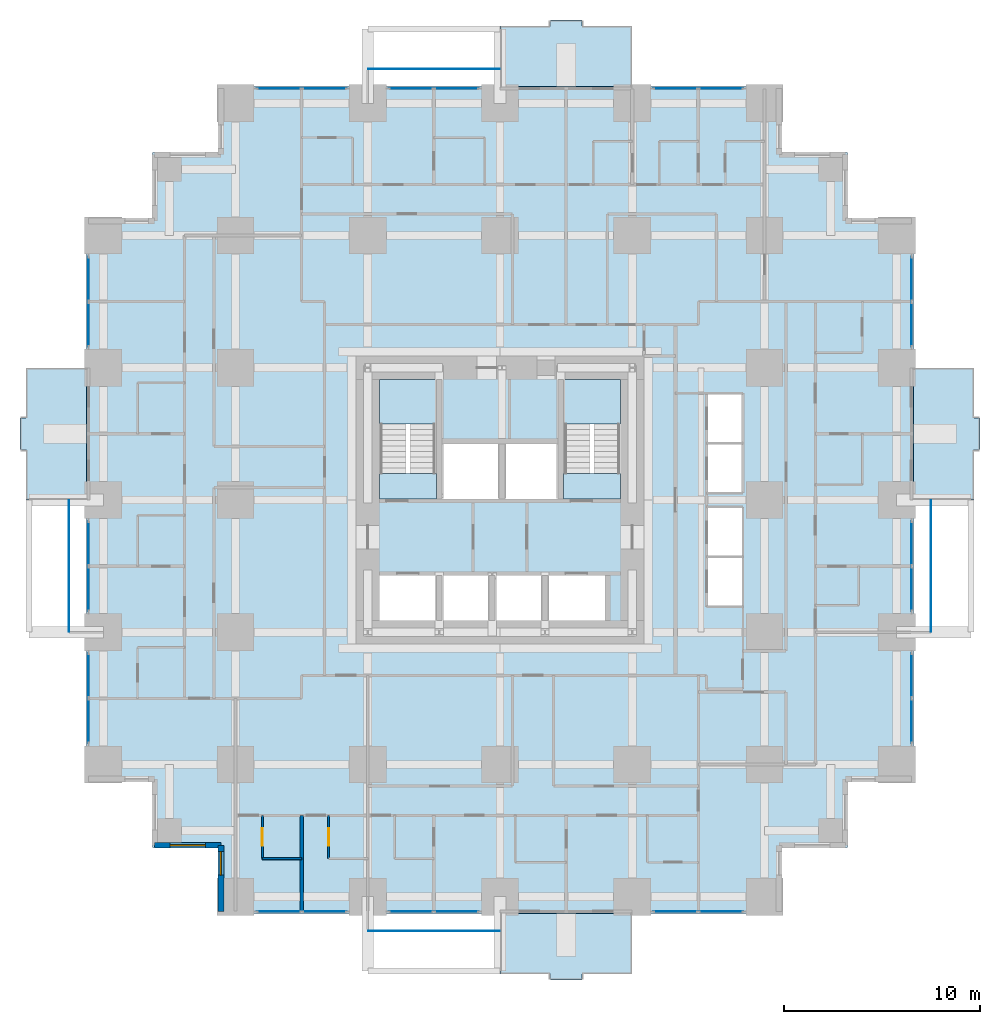
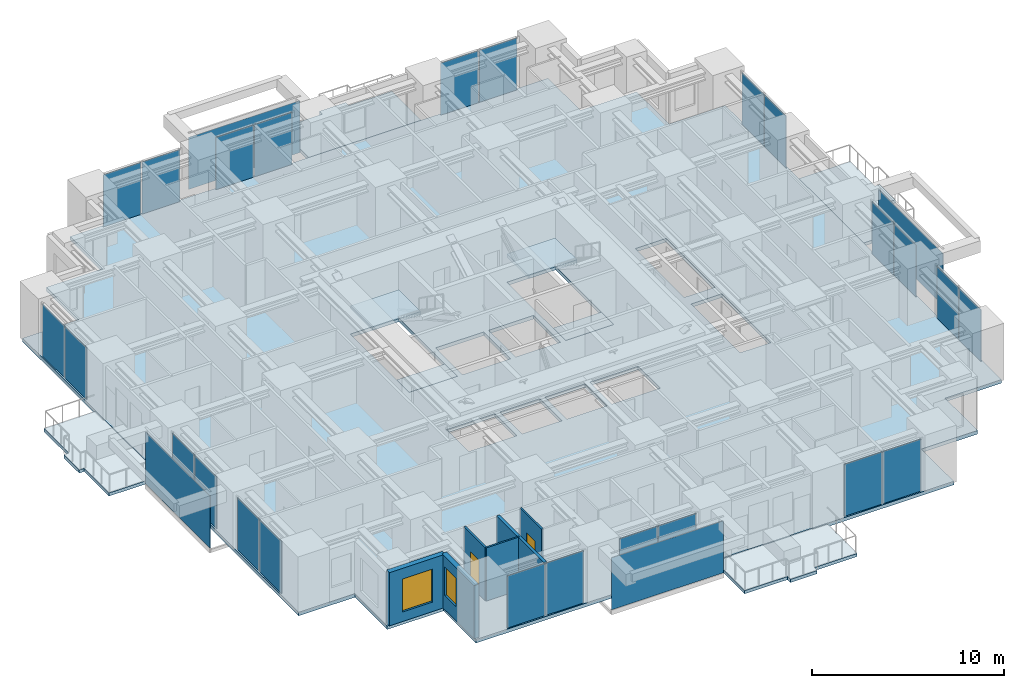
# One storey, part 7 of 14: 28 plates, 9 slabs, 6 walls, 2 doors, 2 windows, 4 openings, 14 elements without a shape of their own.
"""IFC4 building model written with IfcOpenShell, lengths in metres."""

from ifc_helpers import new_model, si_unit, direction, frame, frame_2d, origin, origin_2d, place, context, subcontext, project, spatial, polyline, rectangle, outline, extrude, material, layer, layer_set, type_object, element, fill, aggregate, save


model = new_model("IFC4")

# Units and contexts
model_context = context("Model", 3, precision=1e-05, world=origin(), true_north=direction((0.0, 1.0)))
body_context = subcontext(model_context, "Body", "Model", "MODEL_VIEW")
ifc_project = project(units=[si_unit("LENGTHUNIT", "METRE"), si_unit("AREAUNIT", "SQUARE_METRE"), si_unit("VOLUMEUNIT", "CUBIC_METRE"), si_unit("PLANEANGLEUNIT", "RADIAN"), si_unit("MASSUNIT", "GRAM", prefix="KILO")], contexts=[model_context])

# Site, building, storey
site_placement = place(None, origin())
site = spatial("IfcSite", under=ifc_project, at=site_placement, CompositionType="ELEMENT")
building_placement = place(site_placement, origin())
building = spatial("IfcBuilding", under=site, at=building_placement, Name="Nyansa Garden Tower", CompositionType="ELEMENT")
storey_placement = place(building_placement, frame((0.0, 0.0, 28.800048828125)))
storey = spatial("IfcBuildingStorey", under=building, at=storey_placement, Name="L07", CompositionType="ELEMENT", Elevation=28.800048828125)

# Slabs
ifc_material_1 = material(Name="Concrete C40/50", Category="concrete")
ifc_layer_1 = layer(ifc_material_1, 0.199951171875)
ifc_layer_set_1 = layer_set([ifc_layer_1], Name="Balcony slab BS200")
slab_type_1 = type_object("IfcSlabType", Name="Balcony slab BS200", PredefinedType="FLOOR", material=ifc_layer_set_1)
slab_1_placement = place(storey_placement, frame((0.0, 0.0, -0.239990234375)))
element("IfcSlab", 1, at=slab_1_placement, inside=storey, type_object=slab_type_1, Name="Balcony L07 S", PredefinedType="FLOOR", context=body_context, shape_type="SweptSolid", body=[
    extrude(outline(polyline([(20.25, -0.85009765625), (27.0, -0.85009765625), (27.0, -3.949951171875), (24.425048828125, -3.949951171875), (24.425048828125, -4.25), (22.824951171875, -4.25), (22.824951171875, -3.949951171875), (20.25, -3.949951171875), (20.25, -0.85009765625)])), origin(), (0.0, 0.0, 1.0), 0.199951171875),
])
slab_2_placement = place(storey_placement, frame((0.0, 0.0, -0.239990234375)))
element("IfcSlab", 2, at=slab_2_placement, inside=storey, type_object=slab_type_1, Name="Balcony L07 E", PredefinedType="FLOOR", context=body_context, shape_type="SweptSolid", body=[
    extrude(outline(polyline([(41.35009765625, 20.25), (41.35009765625, 27.0), (44.449951171875, 27.0), (44.449951171875, 24.425048828125), (44.75, 24.425048828125), (44.75, 22.824951171875), (44.449951171875, 22.824951171875), (44.449951171875, 20.25), (41.35009765625, 20.25)])), origin(), (0.0, 0.0, 1.0), 0.199951171875),
])
slab_3_placement = place(storey_placement, frame((0.0, 0.0, -0.239990234375)))
element("IfcSlab", 3, at=slab_3_placement, inside=storey, type_object=slab_type_1, Name="Balcony L07 N", PredefinedType="FLOOR", context=body_context, shape_type="SweptSolid", body=[
    extrude(outline(polyline([(20.25, 41.35009765625), (27.0, 41.35009765625), (27.0, 44.449951171875), (24.425048828125, 44.449951171875), (24.425048828125, 44.75), (22.824951171875, 44.75), (22.824951171875, 44.449951171875), (20.25, 44.449951171875), (20.25, 41.35009765625)])), origin(), (0.0, 0.0, 1.0), 0.199951171875),
])
slab_4_placement = place(storey_placement, frame((0.0, 0.0, -0.239990234375)))
element("IfcSlab", 4, at=slab_4_placement, inside=storey, type_object=slab_type_1, Name="Balcony L07 W", PredefinedType="FLOOR", context=body_context, shape_type="SweptSolid", body=[
    extrude(outline(polyline([(-0.85009765625, 20.25), (-0.85009765625, 27.0), (-3.949951171875, 27.0), (-3.949951171875, 24.425048828125), (-4.25, 24.425048828125), (-4.25, 22.824951171875), (-3.949951171875, 22.824951171875), (-3.949951171875, 20.25), (-0.85009765625, 20.25)])), origin(), (0.0, 0.0, 1.0), 0.199951171875),
])

# Curtain wall, plates
ifc_material_2 = material(Name="Black anodised aluminium, dark tinted double glazing", Category="aluminium")
curtain_wall_type = type_object("IfcCurtainWallType", Name="Inner skin curtain wall ISW-A", PredefinedType="USERDEFINED", material=ifc_material_2)
curtain_wall_1_placement = place(storey_placement, origin())
curtain_wall_1 = element("IfcCurtainWall", 5, at=curtain_wall_1_placement, inside=storey, type_object=curtain_wall_type, Name="Inner skin curtain wall L07 E", ObjectType="UNITISED CURTAIN WALL", PredefinedType="USERDEFINED")
ifc_material_3 = material(Name="Dark tinted laminated double glazing", Category="glass")
ifc_layer_2 = layer(ifc_material_3, 0.031982421875)
ifc_layer_set_2 = layer_set([ifc_layer_2], Name="Dark tinted vision panel VP-A")
plate_type_1 = type_object("IfcPlateType", Name="Dark tinted vision panel VP-A", PredefinedType="CURTAIN_PANEL", material=ifc_layer_set_2)
plate_1_placement = place(storey_placement, frame((41.25, 8.96240234375, 0.0), z_axis=(0.0, 0.0, 1.0), x_axis=(0.0, 1.0, 0.0)))
plate_1 = element("IfcPlate", 6, at=plate_1_placement, type_object=plate_type_1, Name="ISW-A panel 1", PredefinedType="CURTAIN_PANEL", context=body_context, shape_type="SweptSolid", body=[
    extrude(rectangle(XDim=2.260009765625, YDim=0.031982421875, at=origin_2d()), origin(), (0.0, 0.0, 1.0), 3.31005859375),
])
plate_2_placement = place(storey_placement, frame((41.25, 11.28759765625, 0.0), z_axis=(0.0, 0.0, 1.0), x_axis=(0.0, 1.0, 0.0)))
plate_2 = element("IfcPlate", 7, at=plate_2_placement, type_object=plate_type_1, Name="ISW-A panel 2", PredefinedType="CURTAIN_PANEL", context=body_context, shape_type="SweptSolid", body=[
    extrude(rectangle(XDim=2.260009765625, YDim=0.031982421875, at=origin_2d()), origin(), (0.0, 0.0, 1.0), 3.31005859375),
])
aggregate(curtain_wall_1, [plate_1, plate_2])

curtain_wall_2_placement = place(storey_placement, origin())
curtain_wall_2 = element("IfcCurtainWall", 8, at=curtain_wall_2_placement, inside=storey, type_object=curtain_wall_type, Name="Inner skin curtain wall L07 E", ObjectType="UNITISED CURTAIN WALL", PredefinedType="USERDEFINED")
plate_3_placement = place(storey_placement, frame((41.25, 15.71240234375, 0.0), z_axis=(0.0, 0.0, 1.0), x_axis=(0.0, 1.0, 0.0)))
plate_3 = element("IfcPlate", 9, at=plate_3_placement, type_object=plate_type_1, Name="ISW-A panel 1", PredefinedType="CURTAIN_PANEL", context=body_context, shape_type="SweptSolid", body=[
    extrude(rectangle(XDim=2.260009765625, YDim=0.031982421875, at=origin_2d()), origin(), (0.0, 0.0, 1.0), 3.31005859375),
])
plate_4_placement = place(storey_placement, frame((41.25, 18.03759765625, 0.0), z_axis=(0.0, 0.0, 1.0), x_axis=(0.0, 1.0, 0.0)))
plate_4 = element("IfcPlate", 10, at=plate_4_placement, type_object=plate_type_1, Name="ISW-A panel 2", PredefinedType="CURTAIN_PANEL", context=body_context, shape_type="SweptSolid", body=[
    extrude(rectangle(XDim=2.260009765625, YDim=0.031982421875, at=origin_2d()), origin(), (0.0, 0.0, 1.0), 3.31005859375),
])
aggregate(curtain_wall_2, [plate_3, plate_4])

curtain_wall_3_placement = place(storey_placement, origin())
curtain_wall_3 = element("IfcCurtainWall", 11, at=curtain_wall_3_placement, inside=storey, type_object=curtain_wall_type, Name="Inner skin curtain wall L07 E", ObjectType="UNITISED CURTAIN WALL", PredefinedType="USERDEFINED")
plate_5_placement = place(storey_placement, frame((41.25, 29.21240234375, 0.0), z_axis=(0.0, 0.0, 1.0), x_axis=(0.0, 1.0, 0.0)))
plate_5 = element("IfcPlate", 12, at=plate_5_placement, type_object=plate_type_1, Name="ISW-A panel 1", PredefinedType="CURTAIN_PANEL", context=body_context, shape_type="SweptSolid", body=[
    extrude(rectangle(XDim=2.260009765625, YDim=0.031982421875, at=origin_2d()), origin(), (0.0, 0.0, 1.0), 3.31005859375),
])
plate_6_placement = place(storey_placement, frame((41.25, 31.53759765625, 0.0), z_axis=(0.0, 0.0, 1.0), x_axis=(0.0, 1.0, 0.0)))
plate_6 = element("IfcPlate", 13, at=plate_6_placement, type_object=plate_type_1, Name="ISW-A panel 2", PredefinedType="CURTAIN_PANEL", context=body_context, shape_type="SweptSolid", body=[
    extrude(rectangle(XDim=2.260009765625, YDim=0.031982421875, at=origin_2d()), origin(), (0.0, 0.0, 1.0), 3.31005859375),
])
aggregate(curtain_wall_3, [plate_5, plate_6])

curtain_wall_4_placement = place(storey_placement, origin())
curtain_wall_4 = element("IfcCurtainWall", 14, at=curtain_wall_4_placement, inside=storey, type_object=curtain_wall_type, Name="Inner skin curtain wall L07 N", ObjectType="UNITISED CURTAIN WALL", PredefinedType="USERDEFINED")
plate_7_placement = place(storey_placement, frame((18.03759765625, 41.25, 0.0), z_axis=(0.0, 0.0, 1.0), x_axis=(-1.0, 0.0, 0.0)))
plate_7 = element("IfcPlate", 15, at=plate_7_placement, type_object=plate_type_1, Name="ISW-A panel 1", PredefinedType="CURTAIN_PANEL", context=body_context, shape_type="SweptSolid", body=[
    extrude(rectangle(XDim=2.260009765625, YDim=0.031982421875, at=origin_2d()), origin(), (0.0, 0.0, 1.0), 3.31005859375),
])
plate_8_placement = place(storey_placement, frame((15.71240234375, 41.25, 0.0), z_axis=(0.0, 0.0, 1.0), x_axis=(-1.0, 0.0, 0.0)))
plate_8 = element("IfcPlate", 16, at=plate_8_placement, type_object=plate_type_1, Name="ISW-A panel 2", PredefinedType="CURTAIN_PANEL", context=body_context, shape_type="SweptSolid", body=[
    extrude(rectangle(XDim=2.260009765625, YDim=0.031982421875, at=origin_2d()), origin(), (0.0, 0.0, 1.0), 3.31005859375),
])
aggregate(curtain_wall_4, [plate_7, plate_8])

curtain_wall_5_placement = place(storey_placement, origin())
curtain_wall_5 = element("IfcCurtainWall", 17, at=curtain_wall_5_placement, inside=storey, type_object=curtain_wall_type, Name="Inner skin curtain wall L07 N", ObjectType="UNITISED CURTAIN WALL", PredefinedType="USERDEFINED")
plate_9_placement = place(storey_placement, frame((11.28759765625, 41.25, 0.0), z_axis=(0.0, 0.0, 1.0), x_axis=(-1.0, 0.0, 0.0)))
plate_9 = element("IfcPlate", 18, at=plate_9_placement, type_object=plate_type_1, Name="ISW-A panel 1", PredefinedType="CURTAIN_PANEL", context=body_context, shape_type="SweptSolid", body=[
    extrude(rectangle(XDim=2.260009765625, YDim=0.031982421875, at=origin_2d()), origin(), (0.0, 0.0, 1.0), 3.31005859375),
])
plate_10_placement = place(storey_placement, frame((8.96240234375, 41.25, 0.0), z_axis=(0.0, 0.0, 1.0), x_axis=(-1.0, 0.0, 0.0)))
plate_10 = element("IfcPlate", 19, at=plate_10_placement, type_object=plate_type_1, Name="ISW-A panel 2", PredefinedType="CURTAIN_PANEL", context=body_context, shape_type="SweptSolid", body=[
    extrude(rectangle(XDim=2.260009765625, YDim=0.031982421875, at=origin_2d()), origin(), (0.0, 0.0, 1.0), 3.31005859375),
])
aggregate(curtain_wall_5, [plate_9, plate_10])

curtain_wall_6_placement = place(storey_placement, origin())
curtain_wall_6 = element("IfcCurtainWall", 20, at=curtain_wall_6_placement, inside=storey, type_object=curtain_wall_type, Name="Inner skin curtain wall L07 N", ObjectType="UNITISED CURTAIN WALL", PredefinedType="USERDEFINED")
plate_11_placement = place(storey_placement, frame((31.53759765625, 41.25, 0.0), z_axis=(0.0, 0.0, 1.0), x_axis=(-1.0, 0.0, 0.0)))
plate_11 = element("IfcPlate", 21, at=plate_11_placement, type_object=plate_type_1, Name="ISW-A panel 1", PredefinedType="CURTAIN_PANEL", context=body_context, shape_type="SweptSolid", body=[
    extrude(rectangle(XDim=2.260009765625, YDim=0.031982421875, at=origin_2d()), origin(), (0.0, 0.0, 1.0), 3.31005859375),
])
plate_12_placement = place(storey_placement, frame((29.21240234375, 41.25, 0.0), z_axis=(0.0, 0.0, 1.0), x_axis=(-1.0, 0.0, 0.0)))
plate_12 = element("IfcPlate", 22, at=plate_12_placement, type_object=plate_type_1, Name="ISW-A panel 2", PredefinedType="CURTAIN_PANEL", context=body_context, shape_type="SweptSolid", body=[
    extrude(rectangle(XDim=2.260009765625, YDim=0.031982421875, at=origin_2d()), origin(), (0.0, 0.0, 1.0), 3.31005859375),
])
aggregate(curtain_wall_6, [plate_11, plate_12])

curtain_wall_7_placement = place(storey_placement, origin())
curtain_wall_7 = element("IfcCurtainWall", 23, at=curtain_wall_7_placement, inside=storey, type_object=curtain_wall_type, Name="Inner skin curtain wall L07 W", ObjectType="UNITISED CURTAIN WALL", PredefinedType="USERDEFINED")
plate_13_placement = place(storey_placement, frame((-0.75, 18.03759765625, 0.0), z_axis=(0.0, 0.0, 1.0), x_axis=(0.0, -1.0, 0.0)))
plate_13 = element("IfcPlate", 24, at=plate_13_placement, type_object=plate_type_1, Name="ISW-A panel 1", PredefinedType="CURTAIN_PANEL", context=body_context, shape_type="SweptSolid", body=[
    extrude(rectangle(XDim=2.260009765625, YDim=0.031982421875, at=origin_2d()), origin(), (0.0, 0.0, 1.0), 3.31005859375),
])
plate_14_placement = place(storey_placement, frame((-0.75, 15.71240234375, 0.0), z_axis=(0.0, 0.0, 1.0), x_axis=(0.0, -1.0, 0.0)))
plate_14 = element("IfcPlate", 25, at=plate_14_placement, type_object=plate_type_1, Name="ISW-A panel 2", PredefinedType="CURTAIN_PANEL", context=body_context, shape_type="SweptSolid", body=[
    extrude(rectangle(XDim=2.260009765625, YDim=0.031982421875, at=origin_2d()), origin(), (0.0, 0.0, 1.0), 3.31005859375),
])
aggregate(curtain_wall_7, [plate_13, plate_14])

curtain_wall_8_placement = place(storey_placement, origin())
curtain_wall_8 = element("IfcCurtainWall", 26, at=curtain_wall_8_placement, inside=storey, type_object=curtain_wall_type, Name="Inner skin curtain wall L07 W", ObjectType="UNITISED CURTAIN WALL", PredefinedType="USERDEFINED")
plate_15_placement = place(storey_placement, frame((-0.75, 11.28759765625, 0.0), z_axis=(0.0, 0.0, 1.0), x_axis=(0.0, -1.0, 0.0)))
plate_15 = element("IfcPlate", 27, at=plate_15_placement, type_object=plate_type_1, Name="ISW-A panel 1", PredefinedType="CURTAIN_PANEL", context=body_context, shape_type="SweptSolid", body=[
    extrude(rectangle(XDim=2.260009765625, YDim=0.031982421875, at=origin_2d()), origin(), (0.0, 0.0, 1.0), 3.31005859375),
])
plate_16_placement = place(storey_placement, frame((-0.75, 8.96240234375, 0.0), z_axis=(0.0, 0.0, 1.0), x_axis=(0.0, -1.0, 0.0)))
plate_16 = element("IfcPlate", 28, at=plate_16_placement, type_object=plate_type_1, Name="ISW-A panel 2", PredefinedType="CURTAIN_PANEL", context=body_context, shape_type="SweptSolid", body=[
    extrude(rectangle(XDim=2.260009765625, YDim=0.031982421875, at=origin_2d()), origin(), (0.0, 0.0, 1.0), 3.31005859375),
])
aggregate(curtain_wall_8, [plate_15, plate_16])

curtain_wall_9_placement = place(storey_placement, origin())
curtain_wall_9 = element("IfcCurtainWall", 29, at=curtain_wall_9_placement, inside=storey, type_object=curtain_wall_type, Name="Inner skin curtain wall L07 W", ObjectType="UNITISED CURTAIN WALL", PredefinedType="USERDEFINED")
plate_17_placement = place(storey_placement, frame((-0.75, 31.53759765625, 0.0), z_axis=(0.0, 0.0, 1.0), x_axis=(0.0, -1.0, 0.0)))
plate_17 = element("IfcPlate", 30, at=plate_17_placement, type_object=plate_type_1, Name="ISW-A panel 1", PredefinedType="CURTAIN_PANEL", context=body_context, shape_type="SweptSolid", body=[
    extrude(rectangle(XDim=2.260009765625, YDim=0.031982421875, at=origin_2d()), origin(), (0.0, 0.0, 1.0), 3.31005859375),
])
plate_18_placement = place(storey_placement, frame((-0.75, 29.21240234375, 0.0), z_axis=(0.0, 0.0, 1.0), x_axis=(0.0, -1.0, 0.0)))
plate_18 = element("IfcPlate", 31, at=plate_18_placement, type_object=plate_type_1, Name="ISW-A panel 2", PredefinedType="CURTAIN_PANEL", context=body_context, shape_type="SweptSolid", body=[
    extrude(rectangle(XDim=2.260009765625, YDim=0.031982421875, at=origin_2d()), origin(), (0.0, 0.0, 1.0), 3.31005859375),
])
aggregate(curtain_wall_9, [plate_17, plate_18])

curtain_wall_10_placement = place(storey_placement, origin())
curtain_wall_10 = element("IfcCurtainWall", 32, at=curtain_wall_10_placement, inside=storey, type_object=curtain_wall_type, Name="Inner skin curtain wall L07 S", ObjectType="UNITISED CURTAIN WALL", PredefinedType="USERDEFINED")
plate_19_placement = place(storey_placement, frame((8.96240234375, -0.75, 0.0), z_axis=(0.0, 0.0, 1.0), x_axis=(1.0, 0.0, 0.0)))
plate_19 = element("IfcPlate", 33, at=plate_19_placement, type_object=plate_type_1, Name="ISW-A panel 1", PredefinedType="CURTAIN_PANEL", context=body_context, shape_type="SweptSolid", body=[
    extrude(rectangle(XDim=2.260009765625, YDim=0.031982421875, at=origin_2d()), origin(), (0.0, 0.0, 1.0), 3.31005859375),
])
plate_20_placement = place(storey_placement, frame((11.28759765625, -0.75, 0.0), z_axis=(0.0, 0.0, 1.0), x_axis=(1.0, 0.0, 0.0)))
plate_20 = element("IfcPlate", 34, at=plate_20_placement, type_object=plate_type_1, Name="ISW-A panel 2", PredefinedType="CURTAIN_PANEL", context=body_context, shape_type="SweptSolid", body=[
    extrude(rectangle(XDim=2.260009765625, YDim=0.031982421875, at=origin_2d()), origin(), (0.0, 0.0, 1.0), 3.31005859375),
])
aggregate(curtain_wall_10, [plate_19, plate_20])

curtain_wall_11_placement = place(storey_placement, origin())
curtain_wall_11 = element("IfcCurtainWall", 35, at=curtain_wall_11_placement, inside=storey, type_object=curtain_wall_type, Name="Inner skin curtain wall L07 S", ObjectType="UNITISED CURTAIN WALL", PredefinedType="USERDEFINED")
plate_21_placement = place(storey_placement, frame((15.71240234375, -0.75, 0.0), z_axis=(0.0, 0.0, 1.0), x_axis=(1.0, 0.0, 0.0)))
plate_21 = element("IfcPlate", 36, at=plate_21_placement, type_object=plate_type_1, Name="ISW-A panel 1", PredefinedType="CURTAIN_PANEL", context=body_context, shape_type="SweptSolid", body=[
    extrude(rectangle(XDim=2.260009765625, YDim=0.031982421875, at=origin_2d()), origin(), (0.0, 0.0, 1.0), 3.31005859375),
])
plate_22_placement = place(storey_placement, frame((18.03759765625, -0.75, 0.0), z_axis=(0.0, 0.0, 1.0), x_axis=(1.0, 0.0, 0.0)))
plate_22 = element("IfcPlate", 37, at=plate_22_placement, type_object=plate_type_1, Name="ISW-A panel 2", PredefinedType="CURTAIN_PANEL", context=body_context, shape_type="SweptSolid", body=[
    extrude(rectangle(XDim=2.260009765625, YDim=0.031982421875, at=origin_2d()), origin(), (0.0, 0.0, 1.0), 3.31005859375),
])
aggregate(curtain_wall_11, [plate_21, plate_22])

curtain_wall_12_placement = place(storey_placement, origin())
curtain_wall_12 = element("IfcCurtainWall", 38, at=curtain_wall_12_placement, inside=storey, type_object=curtain_wall_type, Name="Inner skin curtain wall L07 S", ObjectType="UNITISED CURTAIN WALL", PredefinedType="USERDEFINED")
plate_23_placement = place(storey_placement, frame((29.21240234375, -0.75, 0.0), z_axis=(0.0, 0.0, 1.0), x_axis=(1.0, 0.0, 0.0)))
plate_23 = element("IfcPlate", 39, at=plate_23_placement, type_object=plate_type_1, Name="ISW-A panel 1", PredefinedType="CURTAIN_PANEL", context=body_context, shape_type="SweptSolid", body=[
    extrude(rectangle(XDim=2.260009765625, YDim=0.031982421875, at=origin_2d()), origin(), (0.0, 0.0, 1.0), 3.31005859375),
])
plate_24_placement = place(storey_placement, frame((31.53759765625, -0.75, 0.0), z_axis=(0.0, 0.0, 1.0), x_axis=(1.0, 0.0, 0.0)))
plate_24 = element("IfcPlate", 40, at=plate_24_placement, type_object=plate_type_1, Name="ISW-A panel 2", PredefinedType="CURTAIN_PANEL", context=body_context, shape_type="SweptSolid", body=[
    extrude(rectangle(XDim=2.260009765625, YDim=0.031982421875, at=origin_2d()), origin(), (0.0, 0.0, 1.0), 3.31005859375),
])
aggregate(curtain_wall_12, [plate_23, plate_24])

# Slab
ifc_material_4 = material(Name="Concrete C40/50", Category="concrete")
ifc_layer_3 = layer(ifc_material_4, 0.22509765625)
ifc_layer_set_3 = layer_set([ifc_layer_3], Name="Floor slab FS225")
slab_type_2 = type_object("IfcSlabType", Name="Floor slab FS225", PredefinedType="FLOOR", material=ifc_layer_set_3)
slab_5_placement = place(storey_placement, frame((0.0, 0.0, -0.22509765625)))
element("IfcSlab", 41, at=slab_5_placement, inside=storey, type_object=slab_type_2, Name="Floor slab L07", PredefinedType="FLOOR", context=body_context, shape_type="SweptSolid", body=[
    extrude(outline(polyline([(41.35009765625, 5.89990234375), (37.97509765625, 5.89990234375), (37.97509765625, 2.52490234375), (34.60009765625, 2.52490234375), (34.60009765625, -0.85009765625), (5.89990234375, -0.85009765625), (5.89990234375, 2.52490234375), (2.52490234375, 2.52490234375), (2.52490234375, 5.89990234375), (-0.85009765625, 5.89990234375), (-0.85009765625, 34.60009765625), (2.52490234375, 34.60009765625), (2.52490234375, 37.97509765625), (5.89990234375, 37.97509765625), (5.89990234375, 41.35009765625), (34.60009765625, 41.35009765625), (34.60009765625, 37.97509765625), (37.97509765625, 37.97509765625), (37.97509765625, 34.60009765625), (41.35009765625, 34.60009765625), (41.35009765625, 5.89990234375)]), holes=[polyline([(14.10009765625, 14.10009765625), (17.0, 14.10009765625), (17.0, 16.39990234375), (14.10009765625, 16.39990234375), (14.10009765625, 14.10009765625)]), polyline([(17.300048828125, 14.10009765625), (19.699951171875, 14.10009765625), (19.699951171875, 16.39990234375), (17.300048828125, 16.39990234375), (17.300048828125, 14.10009765625)]), polyline([(20.0, 14.10009765625), (22.39990234375, 14.10009765625), (22.39990234375, 16.39990234375), (20.0, 16.39990234375), (20.0, 14.10009765625)]), polyline([(22.699951171875, 14.10009765625), (25.60009765625, 14.10009765625), (25.60009765625, 16.39990234375), (22.699951171875, 16.39990234375), (22.699951171875, 14.10009765625)]), polyline([(17.300048828125, 20.300048828125), (20.199951171875, 20.300048828125), (20.199951171875, 23.10009765625), (17.300048828125, 23.10009765625), (17.300048828125, 20.300048828125)]), polyline([(20.5, 20.300048828125), (23.199951171875, 20.300048828125), (23.199951171875, 23.10009765625), (20.5, 23.10009765625), (20.5, 20.300048828125)]), polyline([(30.800048828125, 14.800048828125), (32.64990234375, 14.800048828125), (32.64990234375, 19.89990234375), (30.800048828125, 19.89990234375), (30.800048828125, 14.800048828125)]), polyline([(30.800048828125, 20.60009765625), (32.64990234375, 20.60009765625), (32.64990234375, 25.699951171875), (30.800048828125, 25.699951171875), (30.800048828125, 20.60009765625)]), polyline([(14.10009765625, 20.300048828125), (17.0, 20.300048828125), (17.0, 26.39990234375), (14.10009765625, 26.39990234375), (14.10009765625, 20.300048828125)]), polyline([(23.5, 20.300048828125), (26.39990234375, 20.300048828125), (26.39990234375, 26.39990234375), (23.5, 26.39990234375), (23.5, 20.300048828125)])]), origin(), (0.0, 0.0, 1.0), 0.22509765625),
])

# Plates
ifc_material_5 = material(Name="Dark tinted laminated glass", Category="glass")
ifc_layer_4 = layer(ifc_material_5, 0.02392578125)
ifc_layer_set_4 = layer_set([ifc_layer_4], Name="Outer skin glass panel OS1")
plate_type_2 = type_object("IfcPlateType", Name="Outer skin glass panel OS1", PredefinedType="USERDEFINED", material=ifc_layer_set_4)
for number, where, z_axis, x_axis, name in (
    (42, (42.25, 16.875, -0.22509765625), (0.0, 0.0, 1.0), (0.0, 1.0, 0.0), "Outer skin glass panel L07"),
    (43, (16.875, 42.25, -0.22509765625), (0.0, 0.0, 1.0), (1.0, 0.0, 0.0), "Outer skin glass panel L07"),
    (44, (-1.75, 16.875, -0.22509765625), (0.0, 0.0, 1.0), (0.0, 1.0, 0.0), "Outer skin glass panel L07"),
    (45, (16.875, -1.75, -0.22509765625), (0.0, 0.0, 1.0), (1.0, 0.0, 0.0), "Outer skin glass panel L07"),
):
    element("IfcPlate", number, at=place(storey_placement, frame(where, z_axis=z_axis, x_axis=x_axis)), inside=storey, type_object=plate_type_2, Name=name, ObjectType="OUTER SKIN GLASS", PredefinedType="USERDEFINED", context=body_context, shape_type="SweptSolid", body=[
        extrude(rectangle(XDim=6.7099609375, YDim=0.02392578125, at=origin_2d()), origin(), (0.0, 0.0, 1.0), 3.300048828125),
    ])

# Stair, slabs
ifc_material_6 = material(Name="Precast concrete C40/50", Category="concrete")
stair_type_1 = type_object("IfcStairType", Name="Stair S1 180x280", PredefinedType="HALF_TURN_STAIR", material=ifc_material_6)
stair_1_placement = place(storey_placement, origin())
stair_1 = element("IfcStair", 46, at=stair_1_placement, inside=storey, type_object=stair_type_1, Name="Stair S1 L07", PredefinedType="HALF_TURN_STAIR")
ifc_material_7 = material(Name="Concrete C40/50", Category="concrete")
ifc_layer_5 = layer(ifc_material_7, 0.199951171875)
ifc_layer_set_5 = layer_set([ifc_layer_5], Name="Stair landing SL200")
slab_type_3 = type_object("IfcSlabType", Name="Stair landing SL200", PredefinedType="LANDING", material=ifc_layer_set_5)
slab_6_placement = place(storey_placement, frame((0.0, 0.0, -0.199951171875)))
slab_6 = element("IfcSlab", 47, at=slab_6_placement, type_object=slab_type_3, Name="S1 landing 1", PredefinedType="LANDING", context=body_context, shape_type="SweptSolid", body=[
    extrude(outline(polyline([(14.10009765625, 20.300048828125), (17.0, 20.300048828125), (17.0, 21.60009765625), (14.10009765625, 21.60009765625), (14.10009765625, 20.300048828125)])), origin(), (0.0, 0.0, 1.0), 0.199951171875),
])
slab_7_placement = place(storey_placement, frame((0.0, 0.0, 1.599853515625)))
slab_7 = element("IfcSlab", 48, at=slab_7_placement, type_object=slab_type_3, Name="S1 landing 2", PredefinedType="LANDING", context=body_context, shape_type="SweptSolid", body=[
    extrude(outline(polyline([(14.10009765625, 24.1201171875), (17.0, 24.1201171875), (17.0, 26.39990234375), (14.10009765625, 26.39990234375), (14.10009765625, 24.1201171875)])), origin(), (0.0, 0.0, 1.0), 0.2001953125),
])
aggregate(stair_1, [slab_6, slab_7])

ifc_material_8 = material(Name="Precast concrete C40/50", Category="concrete")
stair_type_2 = type_object("IfcStairType", Name="Stair S2 180x280", PredefinedType="HALF_TURN_STAIR", material=ifc_material_8)
stair_2_placement = place(storey_placement, origin())
stair_2 = element("IfcStair", 49, at=stair_2_placement, inside=storey, type_object=stair_type_2, Name="Stair S2 L07", PredefinedType="HALF_TURN_STAIR")
slab_8_placement = place(storey_placement, frame((0.0, 0.0, -0.199951171875)))
slab_8 = element("IfcSlab", 50, at=slab_8_placement, type_object=slab_type_3, Name="S2 landing 1", PredefinedType="LANDING", context=body_context, shape_type="SweptSolid", body=[
    extrude(outline(polyline([(23.5, 20.300048828125), (26.39990234375, 20.300048828125), (26.39990234375, 21.60009765625), (23.5, 21.60009765625), (23.5, 20.300048828125)])), origin(), (0.0, 0.0, 1.0), 0.199951171875),
])
slab_9_placement = place(storey_placement, frame((0.0, 0.0, 1.599853515625)))
slab_9 = element("IfcSlab", 51, at=slab_9_placement, type_object=slab_type_3, Name="S2 landing 2", PredefinedType="LANDING", context=body_context, shape_type="SweptSolid", body=[
    extrude(outline(polyline([(23.5, 24.1201171875), (26.39990234375, 24.1201171875), (26.39990234375, 26.39990234375), (23.5, 26.39990234375), (23.5, 24.1201171875)])), origin(), (0.0, 0.0, 1.0), 0.2001953125),
])
aggregate(stair_2, [slab_8, slab_9])

# Wall
ifc_material_9 = material(Name="Dense blockwork, plastered both sides, 55 dB", Category="masonry")
ifc_layer_6 = layer(ifc_material_9, 0.175048828125)
ifc_layer_set_6 = layer_set([ifc_layer_6], Name="Acoustic party wall PW175")
wall_type_1 = type_object("IfcWallType", Name="Acoustic party wall PW175", PredefinedType="PARTITIONING", material=ifc_layer_set_6)
wall_1_placement = place(storey_placement, frame((10.125, -0.73388671875, 0.0), z_axis=(0.0, 0.0, 1.0), x_axis=(0.0, 1.0, 0.0)))
element("IfcWall", 52, at=wall_1_placement, inside=storey, type_object=wall_type_1, Name="Party wall", PredefinedType="PARTITIONING", context=body_context, shape_type="SweptSolid", body=[
    extrude(rectangle(XDim=4.8837890625, YDim=0.175048828125, at=frame_2d((2.44189453125, 0.0))), origin(), (0.0, 0.0, 1.0), 3.375),
])

# Wall, opening, window
ifc_material_10 = material(Name="Turquoise glazed tile on concrete blockwork", Category="masonry")
ifc_layer_7 = layer(ifc_material_10, 0.300048828125)
ifc_layer_set_7 = layer_set([ifc_layer_7], Name="Tiled corner wall TW300")
wall_type_2 = type_object("IfcWallType", Name="Tiled corner wall TW300", PredefinedType="SOLIDWALL", material=ifc_layer_set_7)
wall_2_placement = place(storey_placement, frame((2.625, 2.625, 0.0), z_axis=(0.0, 0.0, 1.0), x_axis=(1.0, 0.0, 0.0)))
wall_2 = element("IfcWall", 53, at=wall_2_placement, inside=storey, type_object=wall_type_2, Name="Tiled corner wall L07", PredefinedType="SOLIDWALL", context=body_context, shape_type="SweptSolid", body=[
    extrude(rectangle(XDim=3.375, YDim=0.300048828125, at=frame_2d((1.6875, 0.0))), origin(), (0.0, 0.0, 1.0), 3.375),
])
opening_1_placement = place(wall_2_placement, frame((0.78759765625, 0.0, 0.60009765625)))
opening_1 = element("IfcOpeningElement", 54, at=opening_1_placement, cuts=wall_2, Name="Opening W2", PredefinedType="OPENING", context=body_context, shape_type="SweptSolid", body=[
    extrude(rectangle(XDim=1.800048828125, YDim=2.10009765625, at=frame_2d((0.89990234375, 1.050048828125))), frame((0.0, 0.159912109375, 0.0), z_axis=(0.0, -1.0, 0.0), x_axis=(1.0, 0.0, 0.0)), (0.0, 0.0, 1.0), 0.320068359375),
])
ifc_material_11 = material(Name="Black aluminium frame, dark tinted double glazing", Category="aluminium")
window_type_1 = type_object("IfcWindowType", Name="Window W2 1800x2100", PartitioningType="SINGLE_PANEL", PredefinedType="WINDOW", material=ifc_material_11)
window_1_placement = place(opening_1_placement, origin())
window_1 = element("IfcWindow", 55, at=window_1_placement, inside=storey, type_object=window_type_1, Name="Corner window L07", OverallHeight=2.10009765625, OverallWidth=1.800048828125, PartitioningType="SINGLE_PANEL", PredefinedType="WINDOW", context=body_context, shape_type="SweptSolid", body=[
    extrude(rectangle(XDim=1.800048828125, YDim=2.10009765625, at=frame_2d((0.89990234375, 1.050048828125))), frame((0.0, 0.030029296875, 0.0), z_axis=(0.0, -1.0, 0.0), x_axis=(1.0, 0.0, 0.0)), (0.0, 0.0, 1.0), 0.06005859375),
])
fill(opening_1, window_1)

wall_3_placement = place(storey_placement, frame((6.0, 2.625, 0.0), z_axis=(0.0, 0.0, 1.0), x_axis=(0.0, -1.0, 0.0)))
wall_3 = element("IfcWall", 56, at=wall_3_placement, inside=storey, type_object=wall_type_2, Name="Tiled corner wall L07", PredefinedType="SOLIDWALL", context=body_context, shape_type="SweptSolid", body=[
    extrude(rectangle(XDim=3.375, YDim=0.300048828125, at=frame_2d((1.6875, 0.0))), origin(), (0.0, 0.0, 1.0), 3.375),
])
opening_2_placement = place(wall_3_placement, frame((0.3173828125, 0.0, 0.89990234375)))
opening_2 = element("IfcOpeningElement", 57, at=opening_2_placement, cuts=wall_3, Name="Opening W4", PredefinedType="OPENING", context=body_context, shape_type="SweptSolid", body=[
    extrude(rectangle(XDim=1.199951171875, YDim=1.800048828125, at=frame_2d((0.60009765625, 0.89990234375))), frame((0.0, 0.159912109375, 0.0), z_axis=(0.0, -1.0, 0.0), x_axis=(1.0, 0.0, 0.0)), (0.0, 0.0, 1.0), 0.320068359375),
])
ifc_material_12 = material(Name="Black aluminium frame, dark tinted double glazing", Category="aluminium")
window_type_2 = type_object("IfcWindowType", Name="Window W4 1200x1800", PartitioningType="SINGLE_PANEL", PredefinedType="WINDOW", material=ifc_material_12)
window_2_placement = place(opening_2_placement, origin())
window_2 = element("IfcWindow", 58, at=window_2_placement, inside=storey, type_object=window_type_2, Name="Corner window L07", OverallHeight=1.800048828125, OverallWidth=1.199951171875, PartitioningType="SINGLE_PANEL", PredefinedType="WINDOW", context=body_context, shape_type="SweptSolid", body=[
    extrude(rectangle(XDim=1.199951171875, YDim=1.800048828125, at=frame_2d((0.60009765625, 0.89990234375))), frame((0.0, 0.030029296875, 0.0), z_axis=(0.0, -1.0, 0.0), x_axis=(1.0, 0.0, 0.0)), (0.0, 0.0, 1.0), 0.06005859375),
])
fill(opening_2, window_2)

# Wall, opening, door
ifc_material_13 = material(Name="Moisture resistant board on steel studs, tiled", Category="steel")
ifc_layer_8 = layer(ifc_material_13, 0.10009765625)
ifc_layer_set_8 = layer_set([ifc_layer_8], Name="Wet wall PW100")
wall_type_3 = type_object("IfcWallType", Name="Wet wall PW100", PredefinedType="PARTITIONING", material=ifc_layer_set_8)
wall_4_placement = place(storey_placement, frame((8.125, 1.949951171875, 0.0), z_axis=(0.0, 0.0, 1.0), x_axis=(0.0, 1.0, 0.0)))
wall_4 = element("IfcWall", 59, at=wall_4_placement, inside=storey, type_object=wall_type_3, Name="Wet wall", PredefinedType="PARTITIONING", context=body_context, shape_type="SweptSolid", body=[
    extrude(rectangle(XDim=2.199951171875, YDim=0.10009765625, at=frame_2d((1.10009765625, 0.0))), origin(), (0.0, 0.0, 1.0), 3.375),
])
opening_3_placement = place(wall_4_placement, frame((0.64990234375, 0.0, 0.0)))
opening_3 = element("IfcOpeningElement", 60, at=opening_3_placement, cuts=wall_4, Name="Opening D02", PredefinedType="OPENING", context=body_context, shape_type="SweptSolid", body=[
    extrude(rectangle(XDim=0.89990234375, YDim=2.199951171875, at=frame_2d((0.449951171875, 1.10009765625))), frame((0.0, 0.06005859375, 0.0), z_axis=(0.0, -1.0, 0.0), x_axis=(1.0, 0.0, 0.0)), (0.0, 0.0, 1.0), 0.1201171875),
])
ifc_material_14 = material(Name="Timber flush door", Category="wood")
door_type = type_object("IfcDoorType", Name="En-suite door D02 900x2200", OperationType="SINGLE_SWING_RIGHT", PredefinedType="DOOR", material=ifc_material_14)
door_1_placement = place(opening_3_placement, origin())
door_1 = element("IfcDoor", 61, at=door_1_placement, inside=storey, type_object=door_type, Name="Door L07-019", OperationType="SINGLE_SWING_RIGHT", OverallHeight=2.199951171875, OverallWidth=0.89990234375, PredefinedType="DOOR", context=body_context, shape_type="SweptSolid", body=[
    extrude(rectangle(XDim=0.89990234375, YDim=2.199951171875, at=frame_2d((0.449951171875, 1.10009765625))), frame((0.0, 0.02490234375, 0.0), z_axis=(0.0, -1.0, 0.0), x_axis=(1.0, 0.0, 0.0)), (0.0, 0.0, 1.0), 0.050048828125),
])
fill(opening_3, door_1)

# Wall
wall_5_placement = place(storey_placement, frame((8.125, 1.949951171875, 0.0), z_axis=(0.0, 0.0, 1.0), x_axis=(1.0, 0.0, 0.0)))
element("IfcWall", 62, at=wall_5_placement, inside=storey, type_object=wall_type_3, Name="Wet wall", PredefinedType="PARTITIONING", context=body_context, shape_type="SweptSolid", body=[
    extrude(rectangle(XDim=2.0, YDim=0.10009765625, at=frame_2d((1.0, 0.0))), origin(), (0.0, 0.0, 1.0), 3.375),
])

# Wall, opening, door
wall_6_placement = place(storey_placement, frame((11.5, 1.949951171875, 0.0), z_axis=(0.0, 0.0, 1.0), x_axis=(0.0, 1.0, 0.0)))
wall_6 = element("IfcWall", 63, at=wall_6_placement, inside=storey, type_object=wall_type_3, Name="Wet wall", PredefinedType="PARTITIONING", context=body_context, shape_type="SweptSolid", body=[
    extrude(rectangle(XDim=2.199951171875, YDim=0.10009765625, at=frame_2d((1.10009765625, 0.0))), origin(), (0.0, 0.0, 1.0), 3.375),
])
opening_4_placement = place(wall_6_placement, frame((0.64990234375, 0.0, 0.0)))
opening_4 = element("IfcOpeningElement", 64, at=opening_4_placement, cuts=wall_6, Name="Opening D02", PredefinedType="OPENING", context=body_context, shape_type="SweptSolid", body=[
    extrude(rectangle(XDim=0.89990234375, YDim=2.199951171875, at=frame_2d((0.449951171875, 1.10009765625))), frame((0.0, 0.06005859375, 0.0), z_axis=(0.0, -1.0, 0.0), x_axis=(1.0, 0.0, 0.0)), (0.0, 0.0, 1.0), 0.1201171875),
])
door_2_placement = place(opening_4_placement, origin())
door_2 = element("IfcDoor", 65, at=door_2_placement, inside=storey, type_object=door_type, Name="Door L07-021", OperationType="SINGLE_SWING_RIGHT", OverallHeight=2.199951171875, OverallWidth=0.89990234375, PredefinedType="DOOR", context=body_context, shape_type="SweptSolid", body=[
    extrude(rectangle(XDim=0.89990234375, YDim=2.199951171875, at=frame_2d((0.449951171875, 1.10009765625))), frame((0.0, 0.02490234375, 0.0), z_axis=(0.0, -1.0, 0.0), x_axis=(1.0, 0.0, 0.0)), (0.0, 0.0, 1.0), 0.050048828125),
])
fill(opening_4, door_2)

save(model, "model.ifc")
